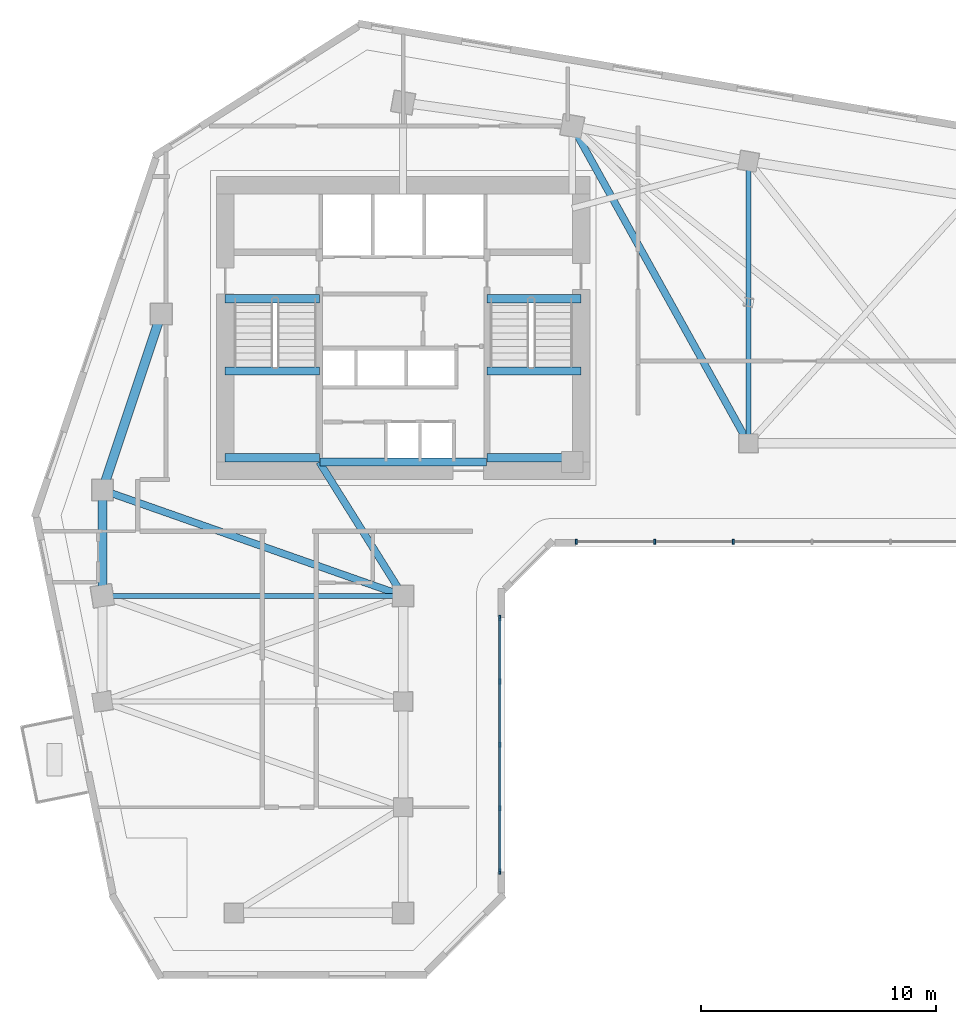
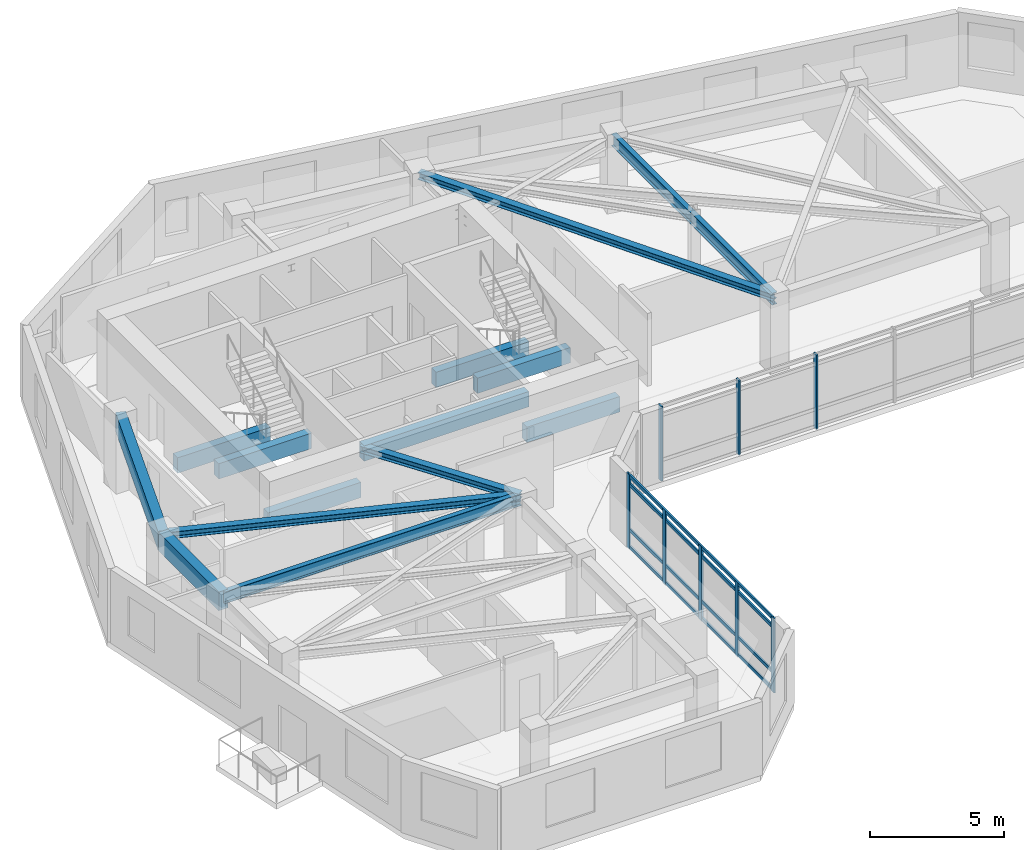
# One storey, part 2 of 10: 14 beams, 12 members, 2 elements without a shape of their own.
"""IFC4 building model written with IfcOpenShell, lengths in metres."""

from ifc_helpers import new_model, si_unit, direction, frame, origin, origin_2d, place, context, subcontext, project, spatial, rectangle, i_section, extrude, source, transform, mapped, material, material_profile, profile_set, type_object, element, aggregate, save


model = new_model("IFC4")

# Units and contexts
model_context = context("Model", 3, precision=1e-05, world=origin(), true_north=direction((0.0, 1.0)))
body_context = subcontext(model_context, "Body", "Model", "MODEL_VIEW")
ifc_project = project(units=[si_unit("LENGTHUNIT", "METRE"), si_unit("AREAUNIT", "SQUARE_METRE"), si_unit("VOLUMEUNIT", "CUBIC_METRE"), si_unit("PLANEANGLEUNIT", "RADIAN"), si_unit("MASSUNIT", "GRAM", prefix="KILO")], contexts=[model_context])

# Site, building, storey
site_placement = place(None, origin())
site = spatial("IfcSite", under=ifc_project, at=site_placement, CompositionType="ELEMENT")
building_placement = place(site_placement, origin())
building = spatial("IfcBuilding", under=site, at=building_placement, Name="Calvemar Wedge Station Tower", CompositionType="ELEMENT")
storey_placement = place(building_placement, frame((0.0, 0.0, 164.60009765625)))
storey = spatial("IfcBuildingStorey", under=building, at=storey_placement, Name="L41", CompositionType="ELEMENT", Elevation=164.60009765625)

# Beams
ifc_material_1 = material(Name="Concrete C60", Category="concrete")
ifc_material_profile_1 = material_profile(ifc_material_1, rectangle(XDim=0.39990234375, YDim=0.85009765625, at=origin_2d()), Name="RC400x850")
ifc_profile_set_1 = profile_set([ifc_material_profile_1], Name="Concrete C60")
beam_type_1 = type_object("IfcBeamType", Name="BM-SP1-850", PredefinedType="SPANDREL", material=ifc_profile_set_1)
shared_shape_1 = source(origin(), body_context, "Body", "SweptSolid", [
    extrude(rectangle(XDim=0.39990234375, YDim=0.85009765625, at=origin_2d()), origin(), (0.0, 0.0, 1.0), 7.90576171875),
])
beam_1_placement = place(storey_placement, frame((11.0, 33.0, 2.9248046875), z_axis=(0.316227766017, 0.948683298051, 0.0), x_axis=(-0.948683298051, 0.316227766017, 0.0)))
element("IfcBeam", 1, at=beam_1_placement, inside=storey, type_object=beam_type_1, Name="Storey L41 Spandrel T-NW1-T-NW2", PredefinedType="SPANDREL", context=body_context, shape_type="MappedRepresentation", body=[
    mapped(shared_shape_1, transform((0.0, 0.0, 0.0), scale=1.0)),
])
shared_shape_2 = source(origin(), body_context, "Body", "SweptSolid", [
    extrude(rectangle(XDim=0.39990234375, YDim=0.85009765625, at=origin_2d()), origin(), (0.0, 0.0, 1.0), 4.5),
])
beam_2_placement = place(storey_placement, frame((11.0, 33.0, 2.9248046875), z_axis=(0.0, -1.0, 0.0), x_axis=(1.0, 0.0, 0.0)))
element("IfcBeam", 2, at=beam_2_placement, inside=storey, type_object=beam_type_1, Name="Storey L41 Spandrel T-NW1-T-SW1", PredefinedType="SPANDREL", context=body_context, shape_type="MappedRepresentation", body=[
    mapped(shared_shape_2, transform((0.0, 0.0, 0.0), scale=1.0)),
])
ifc_material_2 = material(Name="Concrete C70", Category="concrete")
ifc_material_profile_2 = material_profile(ifc_material_2, rectangle(XDim=0.35009765625, YDim=0.699951171875, at=origin_2d()), Name="RC350x700")
ifc_profile_set_2 = profile_set([ifc_material_profile_2], Name="Concrete C70")
beam_type_2 = type_object("IfcBeamType", Name="BM-LN1-700", PredefinedType="LINTEL", material=ifc_profile_set_2)
shared_shape_3 = source(origin(), body_context, "Body", "SweptSolid", [
    extrude(rectangle(XDim=0.35009765625, YDim=0.699951171875, at=origin_2d()), origin(), (0.0, 0.0, 1.0), 7.10009765625),
])
beam_3_placement = place(storey_placement, frame((20.25, 34.199951171875, 3.0), z_axis=(1.0, 0.0, 0.0), x_axis=(0.0, 1.0, 0.0)))
element("IfcBeam", 3, at=beam_3_placement, inside=storey, type_object=beam_type_2, Name="Storey L41 Core Coupling Lintel South", PredefinedType="LINTEL", context=body_context, shape_type="MappedRepresentation", body=[
    mapped(shared_shape_3, transform((0.0, 0.0, 0.0), scale=1.0)),
])
ifc_material_3 = material(Name="Structural steel ASTM A572 Grade 50", Category="steel")
ifc_material_profile_3 = material_profile(ifc_material_3, i_section(OverallWidth=0.304931640625, OverallDepth=0.30810546875, WebThickness=0.010009765625, FlangeThickness=0.015380859375, FilletRadius=0.014892578125, at=origin_2d()), Name="W310x97")
ifc_profile_set_3 = profile_set([ifc_material_profile_3], Name="Structural steel ASTM A572 Grade 50")
beam_type_3 = type_object("IfcBeamType", Name="BM-J6-W310", PredefinedType="JOIST", material=ifc_profile_set_3)
shared_shape_4 = source(origin(), body_context, "Body", "SweptSolid", [
    extrude(i_section(OverallWidth=0.304931640625, OverallDepth=0.30810546875, WebThickness=0.010009765625, FlangeThickness=0.015380859375, FilletRadius=0.014892578125, at=origin_2d()), origin(), (0.0, 0.0, 1.0), 15.443359375),
])
beam_4_placement = place(storey_placement, frame((31.0, 48.5, 3.19580078125), z_axis=(0.485642931179, -0.874157276122, 0.0), x_axis=(0.874157276122, 0.485642931179, 0.0)))
element("IfcBeam", 4, at=beam_4_placement, inside=storey, type_object=beam_type_3, Name="Storey L41 Floor Beam T-N2-T-NL2", PredefinedType="JOIST", context=body_context, shape_type="MappedRepresentation", body=[
    mapped(shared_shape_4, transform((0.0, 0.0, 0.0), scale=1.0)),
])
shared_shape_5 = source(origin(), body_context, "Body", "SweptSolid", [
    extrude(i_section(OverallWidth=0.304931640625, OverallDepth=0.30810546875, WebThickness=0.010009765625, FlangeThickness=0.015380859375, FilletRadius=0.014892578125, at=origin_2d()), origin(), (0.0, 0.0, 1.0), 13.568115234375),
])
beam_5_placement = place(storey_placement, frame((11.0, 33.0, 3.19580078125), z_axis=(0.943398221169, -0.331662171939, 0.0), x_axis=(0.331662171939, 0.943398221169, 0.0)))
element("IfcBeam", 5, at=beam_5_placement, inside=storey, type_object=beam_type_3, Name="Storey L41 Floor Beam T-NW1-T-SE1", PredefinedType="JOIST", context=body_context, shape_type="MappedRepresentation", body=[
    mapped(shared_shape_5, transform((0.0, 0.0, 0.0), scale=1.0)),
])
shared_shape_6 = source(origin(), body_context, "Body", "SweptSolid", [
    extrude(i_section(OverallWidth=0.304931640625, OverallDepth=0.30810546875, WebThickness=0.010009765625, FlangeThickness=0.015380859375, FilletRadius=0.014892578125, at=origin_2d()), origin(), (0.0, 0.0, 1.0), 6.7255859375),
])
beam_6_placement = place(storey_placement, frame((20.22998046875, 34.199951171875, 3.19580078125), z_axis=(0.530811158438, -0.847490126242, 0.0), x_axis=(0.847490126242, 0.530811158438, 0.0)))
element("IfcBeam", 6, at=beam_6_placement, inside=storey, type_object=beam_type_3, Name="Storey L41 Core-to-Column Joist CJ-S2", PredefinedType="JOIST", context=body_context, shape_type="MappedRepresentation", body=[
    mapped(shared_shape_6, transform((0.0, 0.0, 0.0), scale=1.0)),
])
shared_shape_7 = source(origin(), body_context, "Body", "SweptSolid", [
    extrude(rectangle(XDim=0.35009765625, YDim=0.699951171875, at=origin_2d()), origin(), (0.0, 0.0, 1.0), 4.0048828125),
])
for number, where, z_axis, x_axis, name in (
    (7, (16.22509765625, 41.14990234375, -0.35009765625), (1.0, 0.0, 0.0), (0.0, 1.0, 0.0), "Storey L41 Stair ST-C1 Landing Trimmer Beam"),
    (8, (27.3701171875, 41.14990234375, -0.35009765625), (1.0, 0.0, 0.0), (0.0, 1.0, 0.0), "Storey L41 Stair ST-C2 Landing Trimmer Beam"),
    (9, (16.22509765625, 34.3798828125, 1.25), (1.0, 0.0, 0.0), (0.0, 1.0, 0.0), "Storey L41 Stair ST-C1 Half-Landing Beam 1A"),
    (10, (16.22509765625, 38.070068359375, 1.25), (1.0, 0.0, 0.0), (0.0, 1.0, 0.0), "Storey L41 Stair ST-C1 Half-Landing Beam 1B"),
    (11, (27.3701171875, 34.3798828125, 1.25), (1.0, 0.0, 0.0), (0.0, 1.0, 0.0), "Storey L41 Stair ST-C2 Half-Landing Beam 1A"),
    (12, (27.3701171875, 38.070068359375, 1.25), (1.0, 0.0, 0.0), (0.0, 1.0, 0.0), "Storey L41 Stair ST-C2 Half-Landing Beam 1B"),
):
    element("IfcBeam", number, at=place(storey_placement, frame(where, z_axis=z_axis, x_axis=x_axis)), inside=storey, type_object=beam_type_2, Name=name, PredefinedType="LINTEL", context=body_context, shape_type="MappedRepresentation", body=[
        mapped(shared_shape_7, transform((0.0, 0.0, 0.0), scale=1.0)),
    ])
ifc_material_profile_4 = material_profile(ifc_material_3, i_section(OverallWidth=0.2109375, OverallDepth=0.5390625, WebThickness=0.01171875, FlangeThickness=0.018798828125, FilletRadius=0.012939453125, at=origin_2d()), Name="W530x109")
ifc_profile_set_4 = profile_set([ifc_material_profile_4], Name="Structural steel ASTM A572 Grade 50")
beam_type_4 = type_object("IfcBeamType", Name="BM-SB4-W530", PredefinedType="BEAM", material=ifc_profile_set_4)
shared_shape_8 = source(origin(), body_context, "Body", "SweptSolid", [
    extrude(i_section(OverallWidth=0.2109375, OverallDepth=0.5390625, WebThickness=0.01171875, FlangeThickness=0.018798828125, FilletRadius=0.012939453125, at=origin_2d()), origin(), (0.0, 0.0, 1.0), 12.0),
])
beam_7_placement = place(storey_placement, frame((38.5, 47.0, 3.080322265625), z_axis=(0.0, -1.0, 0.0), x_axis=(1.0, 0.0, 0.0)))
element("IfcBeam", 13, at=beam_7_placement, inside=storey, type_object=beam_type_4, Name="Storey L41 Floor Beam T-NU3-T-NL2", PredefinedType="BEAM", context=body_context, shape_type="MappedRepresentation", body=[
    mapped(shared_shape_8, transform((0.0, 0.0, 0.0), scale=1.0)),
])
shared_shape_9 = source(origin(), body_context, "Body", "SweptSolid", [
    extrude(i_section(OverallWidth=0.2109375, OverallDepth=0.5390625, WebThickness=0.01171875, FlangeThickness=0.018798828125, FilletRadius=0.012939453125, at=origin_2d()), origin(), (0.0, 0.0, 1.0), 12.800048828125),
])
beam_8_placement = place(storey_placement, frame((11.0, 28.5, 3.080322265625), z_axis=(1.0, 0.0, 0.0), x_axis=(0.0, 1.0, 0.0)))
element("IfcBeam", 14, at=beam_8_placement, inside=storey, type_object=beam_type_4, Name="Storey L41 Floor Beam T-SW1-T-SE1", PredefinedType="BEAM", context=body_context, shape_type="MappedRepresentation", body=[
    mapped(shared_shape_9, transform((0.0, 0.0, 0.0), scale=1.0)),
])

# Curtain wall, members
ifc_material_4 = material(Name="Anodised aluminium 6063-T6", Category="aluminium")
curtain_wall_type = type_object("IfcCurtainWallType", Name="CW2", PredefinedType="NOTDEFINED", material=ifc_material_4)
curtain_wall_1_placement = place(storey_placement, origin())
curtain_wall_1 = element("IfcCurtainWall", 15, at=curtain_wall_1_placement, inside=storey, type_object=curtain_wall_type, Name="Storey L41 CW2 Recessed Unitised Curtain Wall 4", PredefinedType="NOTDEFINED")
ifc_material_profile_5 = material_profile(ifc_material_4, rectangle(XDim=0.074951171875, YDim=0.219970703125, at=origin_2d()), Name="AL-MUL-75x220")
ifc_profile_set_5 = profile_set([ifc_material_profile_5], Name="Anodised aluminium 6063-T6")
member_type_1 = type_object("IfcMemberType", Name="CW2-MUL", PredefinedType="MULLION", material=ifc_profile_set_5)
shared_shape_10 = source(origin(), body_context, "Body", "SweptSolid", [
    extrude(rectangle(XDim=0.074951171875, YDim=0.219970703125, at=origin_2d()), origin(), (0.0, 0.0, 1.0), 3.39990234375),
])
member_1_placement = place(storey_placement, frame((27.91796875, 16.76220703125, -0.050048828125), z_axis=(0.0, 0.0, 1.0), x_axis=(1.0, 0.0, 0.0)))
member_1 = element("IfcMember", 16, at=member_1_placement, type_object=member_type_1, Name="CW2 mullion 1", PredefinedType="MULLION", context=body_context, shape_type="MappedRepresentation", body=[
    mapped(shared_shape_10, transform((0.0, 0.0, 0.0), scale=1.0)),
])
member_2_placement = place(storey_placement, frame((27.91796875, 19.460205078125, -0.050048828125), z_axis=(0.0, 0.0, 1.0), x_axis=(1.0, 0.0, 0.0)))
member_2 = element("IfcMember", 17, at=member_2_placement, type_object=member_type_1, Name="CW2 mullion 2", PredefinedType="MULLION", context=body_context, shape_type="MappedRepresentation", body=[
    mapped(shared_shape_10, transform((0.0, 0.0, 0.0), scale=1.0)),
])
member_3_placement = place(storey_placement, frame((27.91796875, 22.158203125, -0.050048828125), z_axis=(0.0, 0.0, 1.0), x_axis=(1.0, 0.0, 0.0)))
member_3 = element("IfcMember", 18, at=member_3_placement, type_object=member_type_1, Name="CW2 mullion 3", PredefinedType="MULLION", context=body_context, shape_type="MappedRepresentation", body=[
    mapped(shared_shape_10, transform((0.0, 0.0, 0.0), scale=1.0)),
])
member_4_placement = place(storey_placement, frame((27.91796875, 24.856201171875, -0.050048828125), z_axis=(0.0, 0.0, 1.0), x_axis=(1.0, 0.0, 0.0)))
member_4 = element("IfcMember", 19, at=member_4_placement, type_object=member_type_1, Name="CW2 mullion 4", PredefinedType="MULLION", context=body_context, shape_type="MappedRepresentation", body=[
    mapped(shared_shape_10, transform((0.0, 0.0, 0.0), scale=1.0)),
])
member_5_placement = place(storey_placement, frame((27.91796875, 27.55419921875, -0.050048828125), z_axis=(0.0, 0.0, 1.0), x_axis=(1.0, 0.0, 0.0)))
member_5 = element("IfcMember", 20, at=member_5_placement, type_object=member_type_1, Name="CW2 mullion 5", PredefinedType="MULLION", context=body_context, shape_type="MappedRepresentation", body=[
    mapped(shared_shape_10, transform((0.0, 0.0, 0.0), scale=1.0)),
])

curtain_wall_2_placement = place(storey_placement, origin())
curtain_wall_2 = element("IfcCurtainWall", 21, at=curtain_wall_2_placement, inside=storey, type_object=curtain_wall_type, Name="Storey L41 CW2 Recessed Unitised Curtain Wall 6", PredefinedType="NOTDEFINED")
member_6_placement = place(storey_placement, frame((31.166015625, 30.802001953125, -0.050048828125), z_axis=(0.0, 0.0, 1.0), x_axis=(1.0, 0.0, 0.0)))
member_6 = element("IfcMember", 22, at=member_6_placement, type_object=member_type_1, Name="CW2 mullion 1", PredefinedType="MULLION", context=body_context, shape_type="MappedRepresentation", body=[
    mapped(shared_shape_10, transform((0.0, 0.0, 0.0), scale=1.0)),
])
member_7_placement = place(storey_placement, frame((34.51123046875, 30.802001953125, -0.050048828125), z_axis=(0.0, 0.0, 1.0), x_axis=(1.0, 0.0, 0.0)))
member_7 = element("IfcMember", 23, at=member_7_placement, type_object=member_type_1, Name="CW2 mullion 2", PredefinedType="MULLION", context=body_context, shape_type="MappedRepresentation", body=[
    mapped(shared_shape_10, transform((0.0, 0.0, 0.0), scale=1.0)),
])
member_8_placement = place(storey_placement, frame((37.856689453125, 30.802001953125, -0.050048828125), z_axis=(0.0, 0.0, 1.0), x_axis=(1.0, 0.0, 0.0)))
member_8 = element("IfcMember", 24, at=member_8_placement, type_object=member_type_1, Name="CW2 mullion 3", PredefinedType="MULLION", context=body_context, shape_type="MappedRepresentation", body=[
    mapped(shared_shape_10, transform((0.0, 0.0, 0.0), scale=1.0)),
])
aggregate(curtain_wall_2, [member_6, member_7, member_8])

# Member
ifc_material_profile_6 = material_profile(ifc_material_4, rectangle(XDim=0.074951171875, YDim=0.14990234375, at=origin_2d()), Name="AL-TRN-75x150")
ifc_profile_set_6 = profile_set([ifc_material_profile_6], Name="Anodised aluminium 6063-T6")
member_type_2 = type_object("IfcMemberType", Name="CW2-TRN", PredefinedType="USERDEFINED", material=ifc_profile_set_6)
shared_shape_11 = source(origin(), body_context, "Body", "SweptSolid", [
    extrude(rectangle(XDim=0.074951171875, YDim=0.14990234375, at=origin_2d()), origin(), (0.0, 0.0, 1.0), 10.7919921875),
])
member_9_placement = place(storey_placement, frame((27.91796875, 16.76220703125, 0.059814453125), z_axis=(0.0, 1.0, 0.0), x_axis=(-1.0, 0.0, 0.0)))
member_9 = element("IfcMember", 25, at=member_9_placement, type_object=member_type_2, Name="CW2 transom 1", ObjectType="TRANSOM", PredefinedType="USERDEFINED", context=body_context, shape_type="MappedRepresentation", body=[
    mapped(shared_shape_11, transform((0.0, 0.0, 0.0), scale=1.0)),
])

member_10_placement = place(storey_placement, frame((27.91796875, 16.76220703125, 0.849853515625), z_axis=(0.0, 1.0, 0.0), x_axis=(-1.0, 0.0, 0.0)))
member_10 = element("IfcMember", 26, at=member_10_placement, type_object=member_type_2, Name="CW2 transom 2", ObjectType="TRANSOM", PredefinedType="USERDEFINED", context=body_context, shape_type="MappedRepresentation", body=[
    mapped(shared_shape_11, transform((0.0, 0.0, 0.0), scale=1.0)),
])

member_11_placement = place(storey_placement, frame((27.91796875, 16.76220703125, 2.89990234375), z_axis=(0.0, 1.0, 0.0), x_axis=(-1.0, 0.0, 0.0)))
member_11 = element("IfcMember", 27, at=member_11_placement, type_object=member_type_2, Name="CW2 transom 3", ObjectType="TRANSOM", PredefinedType="USERDEFINED", context=body_context, shape_type="MappedRepresentation", body=[
    mapped(shared_shape_11, transform((0.0, 0.0, 0.0), scale=1.0)),
])

member_12_placement = place(storey_placement, frame((27.91796875, 16.76220703125, 3.289794921875), z_axis=(0.0, 1.0, 0.0), x_axis=(-1.0, 0.0, 0.0)))
member_12 = element("IfcMember", 28, at=member_12_placement, type_object=member_type_2, Name="CW2 transom 4", ObjectType="TRANSOM", PredefinedType="USERDEFINED", context=body_context, shape_type="MappedRepresentation", body=[
    mapped(shared_shape_11, transform((0.0, 0.0, 0.0), scale=1.0)),
])

aggregate(curtain_wall_1, [member_1, member_2, member_3, member_4, member_5, member_9, member_10, member_11, member_12])

save(model, "model.ifc")
